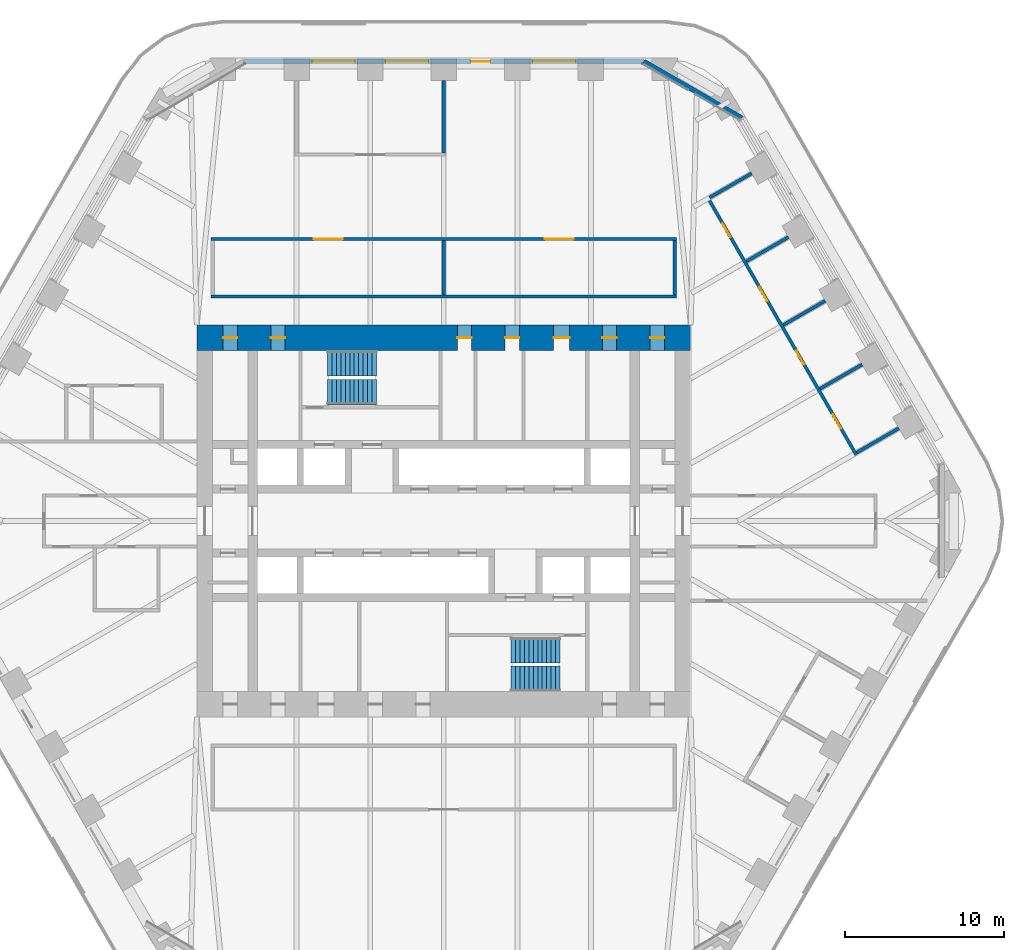
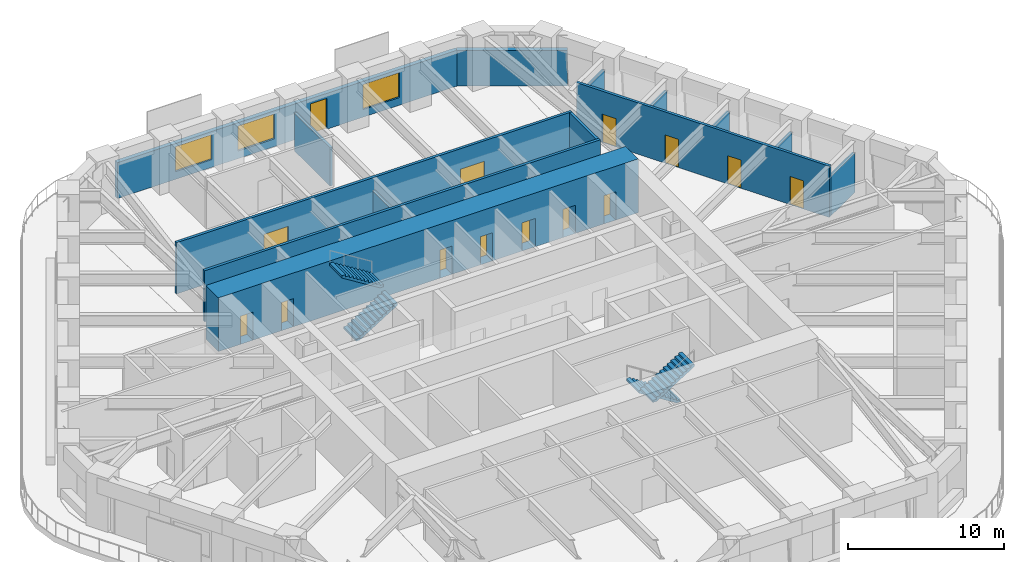
# One storey, part 17 of 20: 14 doors, 14 walls, 4 stair flights, 3 windows, 17 openings, 2 elements without a shape of their own.
"""IFC4 building model written with IfcOpenShell, lengths in metres."""

from ifc_helpers import new_model, si_unit, direction, frame, frame_2d, origin, place, context, subcontext, project, spatial, polyline, rectangle, outline, extrude, material, layer, layer_set, type_object, element, fill, aggregate, save


model = new_model("IFC4")

# Units and contexts
model_context = context("Model", 3, precision=1e-05, world=origin(), true_north=direction((0.0, 1.0)))
body_context = subcontext(model_context, "Body", "Model", "MODEL_VIEW")
ifc_project = project(units=[si_unit("LENGTHUNIT", "METRE"), si_unit("AREAUNIT", "SQUARE_METRE"), si_unit("VOLUMEUNIT", "CUBIC_METRE"), si_unit("PLANEANGLEUNIT", "RADIAN"), si_unit("MASSUNIT", "GRAM", prefix="KILO")], contexts=[model_context])

# Site, building, storey
site_placement = place(None, origin())
site = spatial("IfcSite", under=ifc_project, at=site_placement, CompositionType="ELEMENT")
building_placement = place(site_placement, origin())
building = spatial("IfcBuilding", under=site, at=building_placement, Name="Tarfa Lantern Tower", CompositionType="ELEMENT")
storey_placement = place(building_placement, frame((0.0, 0.0, 232.300048828125)))
storey = spatial("IfcBuildingStorey", under=building, at=storey_placement, Name="L52", CompositionType="ELEMENT", Elevation=232.300048828125)

# Wall
ifc_material_1 = material(Name="Limestone cladding on blockwork", Category="masonry")
ifc_layer_1 = layer(ifc_material_1, 0.300048828125)
ifc_layer_set_1 = layer_set([ifc_layer_1], Name="EW1 STONE-CLAD WALL 300")
wall_type_1 = type_object("IfcWallType", Name="EW1 STONE-CLAD WALL 300", PredefinedType="SOLIDWALL", material=ifc_layer_set_1)
wall_1_placement = place(storey_placement, frame((18.70654296875, 25.299072265625, 0.0), z_axis=(0.0, 0.0, 1.0), x_axis=(-0.866010973379, 0.500024993363, 0.0)))
element("IfcWall", 1, at=wall_1_placement, inside=storey, type_object=wall_type_1, Name="Garden wall NE-N", PredefinedType="SOLIDWALL", context=body_context, shape_type="SweptSolid", body=[
    extrude(rectangle(XDim=7.101806640625, YDim=0.300048828125, at=frame_2d((3.55078125, 0.0))), origin(), (0.0, 0.0, 1.0), 2.800048828125),
])

# Wall, openings, door, windows
wall_2_placement = place(storey_placement, frame((12.556396484375, 28.85009765625, 0.0), z_axis=(0.0, 0.0, 1.0), x_axis=(-1.0, 0.0, 0.0)))
wall_2 = element("IfcWall", 2, at=wall_2_placement, inside=storey, type_object=wall_type_1, Name="Stone wall N", PredefinedType="SOLIDWALL", context=body_context, shape_type="SweptSolid", body=[
    extrude(rectangle(XDim=25.11279296875, YDim=0.300048828125, at=frame_2d((12.556396484375, 0.0))), origin(), (0.0, 0.0, 1.0), 2.800048828125),
])
opening_1_placement = place(wall_2_placement, frame((4.2783203125, 0.0, 0.60009765625)))
opening_1 = element("IfcOpeningElement", 3, at=opening_1_placement, cuts=wall_2, Name="Opening W14", PredefinedType="OPENING", context=body_context, shape_type="SweptSolid", body=[
    extrude(rectangle(XDim=2.699951171875, YDim=1.949951171875, at=frame_2d((1.35009765625, 0.97509765625))), frame((0.0, 0.159912109375, 0.0), z_axis=(0.0, -1.0, 0.0), x_axis=(1.0, 0.0, 0.0)), (0.0, 0.0, 1.0), 0.320068359375),
])
opening_2_placement = place(wall_2_placement, frame((9.64697265625, 0.0, 0.0)))
opening_2 = element("IfcOpeningElement", 4, at=opening_2_placement, cuts=wall_2, Name="Opening D47", PredefinedType="OPENING", context=body_context, shape_type="SweptSolid", body=[
    extrude(rectangle(XDim=1.199951171875, YDim=2.39990234375, at=frame_2d((0.60009765625, 1.199951171875))), frame((0.0, 0.159912109375, 0.0), z_axis=(0.0, -1.0, 0.0), x_axis=(1.0, 0.0, 0.0)), (0.0, 0.0, 1.0), 0.320068359375),
])
opening_3_placement = place(wall_2_placement, frame((13.515869140625, 0.0, 0.60009765625)))
opening_3 = element("IfcOpeningElement", 5, at=opening_3_placement, cuts=wall_2, Name="Opening W14", PredefinedType="OPENING", context=body_context, shape_type="SweptSolid", body=[
    extrude(rectangle(XDim=2.699951171875, YDim=1.949951171875, at=frame_2d((1.35009765625, 0.97509765625))), frame((0.0, 0.159912109375, 0.0), z_axis=(0.0, -1.0, 0.0), x_axis=(1.0, 0.0, 0.0)), (0.0, 0.0, 1.0), 0.320068359375),
])
opening_4_placement = place(wall_2_placement, frame((18.134521484375, 0.0, 0.60009765625)))
opening_4 = element("IfcOpeningElement", 6, at=opening_4_placement, cuts=wall_2, Name="Opening W14", PredefinedType="OPENING", context=body_context, shape_type="SweptSolid", body=[
    extrude(rectangle(XDim=2.699951171875, YDim=1.949951171875, at=frame_2d((1.35009765625, 0.97509765625))), frame((0.0, 0.159912109375, 0.0), z_axis=(0.0, -1.0, 0.0), x_axis=(1.0, 0.0, 0.0)), (0.0, 0.0, 1.0), 0.320068359375),
])
ifc_material_2 = material(Name="Aluminium framed glazed door", Category="aluminium")
door_type_1 = type_object("IfcDoorType", Name="BE3 BALCONY DOOR 1200x2400", OperationType="SINGLE_SWING_RIGHT", PredefinedType="DOOR", material=ifc_material_2)
door_1_placement = place(opening_2_placement, origin())
door_1 = element("IfcDoor", 7, at=door_1_placement, inside=storey, type_object=door_type_1, Name="Balcony door N", OperationType="SINGLE_SWING_LEFT", OverallHeight=2.39990234375, OverallWidth=1.199951171875, PredefinedType="DOOR", context=body_context, shape_type="SweptSolid", body=[
    extrude(rectangle(XDim=1.199951171875, YDim=2.39990234375, at=frame_2d((0.60009765625, 1.199951171875))), frame((0.0, 0.02490234375, 0.0), z_axis=(0.0, -1.0, 0.0), x_axis=(1.0, 0.0, 0.0)), (0.0, 0.0, 1.0), 0.050048828125),
])
fill(opening_2, door_1)
ifc_material_3 = material(Name="Aluminium frame, double glazed", Category="aluminium")
window_type = type_object("IfcWindowType", Name="W14 FULL-HEIGHT GLAZING 2700x1950", PartitioningType="SINGLE_PANEL", PredefinedType="WINDOW", material=ifc_material_3)
window_1_placement = place(opening_1_placement, origin())
window_1 = element("IfcWindow", 8, at=window_1_placement, inside=storey, type_object=window_type, Name="Window N 2", OverallHeight=1.949951171875, OverallWidth=2.699951171875, PartitioningType="SINGLE_PANEL", PredefinedType="WINDOW", context=body_context, shape_type="SweptSolid", body=[
    extrude(rectangle(XDim=2.699951171875, YDim=1.949951171875, at=frame_2d((1.35009765625, 0.97509765625))), frame((0.0, 0.030029296875, 0.0), z_axis=(0.0, -1.0, 0.0), x_axis=(1.0, 0.0, 0.0)), (0.0, 0.0, 1.0), 0.06005859375),
])
fill(opening_1, window_1)
window_2_placement = place(opening_3_placement, origin())
window_2 = element("IfcWindow", 9, at=window_2_placement, inside=storey, type_object=window_type, Name="Window N 4", OverallHeight=1.949951171875, OverallWidth=2.699951171875, PartitioningType="SINGLE_PANEL", PredefinedType="WINDOW", context=body_context, shape_type="SweptSolid", body=[
    extrude(rectangle(XDim=2.699951171875, YDim=1.949951171875, at=frame_2d((1.35009765625, 0.97509765625))), frame((0.0, 0.030029296875, 0.0), z_axis=(0.0, -1.0, 0.0), x_axis=(1.0, 0.0, 0.0)), (0.0, 0.0, 1.0), 0.06005859375),
])
fill(opening_3, window_2)
window_3_placement = place(opening_4_placement, origin())
window_3 = element("IfcWindow", 10, at=window_3_placement, inside=storey, type_object=window_type, Name="Window N 5", OverallHeight=1.949951171875, OverallWidth=2.699951171875, PartitioningType="SINGLE_PANEL", PredefinedType="WINDOW", context=body_context, shape_type="SweptSolid", body=[
    extrude(rectangle(XDim=2.699951171875, YDim=1.949951171875, at=frame_2d((1.35009765625, 0.97509765625))), frame((0.0, 0.030029296875, 0.0), z_axis=(0.0, -1.0, 0.0), x_axis=(1.0, 0.0, 0.0)), (0.0, 0.0, 1.0), 0.06005859375),
])
fill(opening_4, window_3)

# Wall
ifc_material_4 = material(Name="Gypsum board on steel studs", Category="steel")
ifc_layer_2 = layer(ifc_material_4, 0.2099609375)
ifc_layer_set_2 = layer_set([ifc_layer_2], Name="IW2 ACOUSTIC PARTITION 200")
wall_type_2 = type_object("IfcWallType", Name="IW2 ACOUSTIC PARTITION 200", PredefinedType="PARTITIONING", material=ifc_layer_set_2)
wall_3_placement = place(storey_placement, frame((-14.60009765625, 14.10009765625, 0.0), z_axis=(0.0, 0.0, 1.0), x_axis=(1.0, 0.0, 0.0)))
element("IfcWall", 11, at=wall_3_placement, inside=storey, type_object=wall_type_2, Name="Partition", PredefinedType="PARTITIONING", context=body_context, shape_type="SweptSolid", body=[
    extrude(rectangle(XDim=29.2001953125, YDim=0.199951171875, at=frame_2d((14.60009765625, 0.0))), origin(), (0.0, 0.0, 1.0), 4.0),
])

# Wall, openings, doors
wall_4_placement = place(storey_placement, frame((-14.60009765625, 17.699951171875, 0.0), z_axis=(0.0, 0.0, 1.0), x_axis=(1.0, 0.0, 0.0)))
wall_4 = element("IfcWall", 12, at=wall_4_placement, inside=storey, type_object=wall_type_2, Name="Partition", PredefinedType="PARTITIONING", context=body_context, shape_type="SweptSolid", body=[
    extrude(rectangle(XDim=29.2001953125, YDim=0.199951171875, at=frame_2d((14.60009765625, 0.0))), origin(), (0.0, 0.0, 1.0), 4.0),
])
opening_5_placement = place(wall_4_placement, frame((6.449951171875, 0.0, 0.0)))
opening_5 = element("IfcOpeningElement", 13, at=opening_5_placement, cuts=wall_4, Name="Opening D35", PredefinedType="OPENING", context=body_context, shape_type="SweptSolid", body=[
    extrude(rectangle(XDim=1.800048828125, YDim=2.39990234375, at=frame_2d((0.89990234375, 1.199951171875))), frame((0.0, 0.10986328125, 0.0), z_axis=(0.0, -1.0, 0.0), x_axis=(1.0, 0.0, 0.0)), (0.0, 0.0, 1.0), 0.219970703125),
])
opening_6_placement = place(wall_4_placement, frame((20.949951171875, 0.0, 0.0)))
opening_6 = element("IfcOpeningElement", 14, at=opening_6_placement, cuts=wall_4, Name="Opening D36", PredefinedType="OPENING", context=body_context, shape_type="SweptSolid", body=[
    extrude(rectangle(XDim=1.800048828125, YDim=2.39990234375, at=frame_2d((0.89990234375, 1.199951171875))), frame((0.0, 0.10986328125, 0.0), z_axis=(0.0, -1.0, 0.0), x_axis=(1.0, 0.0, 0.0)), (0.0, 0.0, 1.0), 0.219970703125),
])
ifc_material_5 = material(Name="Timber door", Category="wood")
door_type_2 = type_object("IfcDoorType", Name="DR2 ROOM DOOR 1800x2400", OperationType="DOUBLE_DOOR_SINGLE_SWING", PredefinedType="DOOR", material=ifc_material_5)
door_2_placement = place(opening_5_placement, frame((1.800048828125, 0.0, 0.0), z_axis=(0.0, 0.0, 1.0), x_axis=(-1.0, 0.0, 0.0)))
door_2 = element("IfcDoor", 15, at=door_2_placement, inside=storey, type_object=door_type_2, Name="Interview room door", OperationType="DOUBLE_DOOR_SINGLE_SWING", OverallHeight=2.39990234375, OverallWidth=1.800048828125, PredefinedType="DOOR", context=body_context, shape_type="SweptSolid", body=[
    extrude(rectangle(XDim=1.800048828125, YDim=2.39990234375, at=frame_2d((0.89990234375, 1.199951171875))), frame((0.0, 0.02490234375, 0.0), z_axis=(0.0, -1.0, 0.0), x_axis=(1.0, 0.0, 0.0)), (0.0, 0.0, 1.0), 0.050048828125),
])
fill(opening_5, door_2)
door_3_placement = place(opening_6_placement, frame((1.800048828125, 0.0, 0.0), z_axis=(0.0, 0.0, 1.0), x_axis=(-1.0, 0.0, 0.0)))
door_3 = element("IfcDoor", 16, at=door_3_placement, inside=storey, type_object=door_type_2, Name="Interview room door", OperationType="DOUBLE_DOOR_SINGLE_SWING", OverallHeight=2.39990234375, OverallWidth=1.800048828125, PredefinedType="DOOR", context=body_context, shape_type="SweptSolid", body=[
    extrude(rectangle(XDim=1.800048828125, YDim=2.39990234375, at=frame_2d((0.89990234375, 1.199951171875))), frame((0.0, 0.02490234375, 0.0), z_axis=(0.0, -1.0, 0.0), x_axis=(1.0, 0.0, 0.0)), (0.0, 0.0, 1.0), 0.050048828125),
])
fill(opening_6, door_3)

# Walls
wall_5_placement = place(storey_placement, frame((0.0, 14.199951171875, 0.0), z_axis=(0.0, 0.0, 1.0), x_axis=(0.0, 1.0, 0.0)))
element("IfcWall", 17, at=wall_5_placement, inside=storey, type_object=wall_type_2, Name="Partition", PredefinedType="PARTITIONING", context=body_context, shape_type="SweptSolid", body=[
    extrude(rectangle(XDim=3.400146484375, YDim=0.199951171875, at=frame_2d((1.7001953125, 0.0))), origin(), (0.0, 0.0, 1.0), 2.991943359375),
])
wall_6_placement = place(storey_placement, frame((14.5, 14.199951171875, 0.0), z_axis=(0.0, 0.0, 1.0), x_axis=(0.0, 1.0, 0.0)))
element("IfcWall", 18, at=wall_6_placement, inside=storey, type_object=wall_type_2, Name="Partition", PredefinedType="PARTITIONING", context=body_context, shape_type="SweptSolid", body=[
    extrude(rectangle(XDim=3.400146484375, YDim=0.199951171875, at=frame_2d((1.7001953125, 0.0))), origin(), (0.0, 0.0, 1.0), 4.0),
])
wall_7_placement = place(storey_placement, frame((0.0, 23.10009765625, 0.0), z_axis=(0.0, 0.0, 1.0), x_axis=(0.0, 1.0, 0.0)))
element("IfcWall", 19, at=wall_7_placement, inside=storey, type_object=wall_type_2, Name="Partition", PredefinedType="PARTITIONING", context=body_context, shape_type="SweptSolid", body=[
    extrude(rectangle(XDim=4.5498046875, YDim=0.199951171875, at=frame_2d((2.27490234375, 0.0))), origin(), (0.0, 0.0, 1.0), 2.991943359375),
])

# Wall, openings, doors
wall_8_placement = place(storey_placement, frame((25.886474609375, 4.163330078125, 0.0), z_axis=(0.0, 0.0, 1.0), x_axis=(-0.499998569178, 0.866026229868, 0.0)))
wall_8 = element("IfcWall", 20, at=wall_8_placement, inside=storey, type_object=wall_type_2, Name="Partition", PredefinedType="PARTITIONING", context=body_context, shape_type="SweptSolid", body=[
    extrude(rectangle(XDim=18.67529296875, YDim=0.199951171875, at=frame_2d((9.337646484375, 0.0))), origin(), (0.0, 0.0, 1.0), 4.0),
])
opening_7_placement = place(wall_8_placement, frame((1.909423828125, 0.0, 0.0)))
opening_7 = element("IfcOpeningElement", 21, at=opening_7_placement, cuts=wall_8, Name="Opening D28", PredefinedType="OPENING", context=body_context, shape_type="SweptSolid", body=[
    extrude(rectangle(XDim=1.0, YDim=2.199951171875, at=frame_2d((0.5, 1.10009765625))), frame((0.0, 0.10986328125, 0.0), z_axis=(0.0, -1.0, 0.0), x_axis=(1.0, 0.0, 0.0)), (0.0, 0.0, 1.0), 0.219970703125),
])
opening_8_placement = place(wall_8_placement, frame((6.5283203125, 0.0, 0.0)))
opening_8 = element("IfcOpeningElement", 22, at=opening_8_placement, cuts=wall_8, Name="Opening D29", PredefinedType="OPENING", context=body_context, shape_type="SweptSolid", body=[
    extrude(rectangle(XDim=1.0, YDim=2.199951171875, at=frame_2d((0.5, 1.10009765625))), frame((0.0, 0.10986328125, 0.0), z_axis=(0.0, -1.0, 0.0), x_axis=(1.0, 0.0, 0.0)), (0.0, 0.0, 1.0), 0.219970703125),
])
opening_9_placement = place(wall_8_placement, frame((11.14697265625, 0.0, 0.0)))
opening_9 = element("IfcOpeningElement", 23, at=opening_9_placement, cuts=wall_8, Name="Opening D30", PredefinedType="OPENING", context=body_context, shape_type="SweptSolid", body=[
    extrude(rectangle(XDim=1.0, YDim=2.199951171875, at=frame_2d((0.5, 1.10009765625))), frame((0.0, 0.10986328125, 0.0), z_axis=(0.0, -1.0, 0.0), x_axis=(1.0, 0.0, 0.0)), (0.0, 0.0, 1.0), 0.219970703125),
])
opening_10_placement = place(wall_8_placement, frame((15.765869140625, 0.0, 0.0)))
opening_10 = element("IfcOpeningElement", 24, at=opening_10_placement, cuts=wall_8, Name="Opening D31", PredefinedType="OPENING", context=body_context, shape_type="SweptSolid", body=[
    extrude(rectangle(XDim=1.0, YDim=2.199951171875, at=frame_2d((0.5, 1.10009765625))), frame((0.0, 0.10986328125, 0.0), z_axis=(0.0, -1.0, 0.0), x_axis=(1.0, 0.0, 0.0)), (0.0, 0.0, 1.0), 0.219970703125),
])
door_type_3 = type_object("IfcDoorType", Name="DR1 ROOM DOOR 1000x2200", OperationType="SINGLE_SWING_LEFT", PredefinedType="DOOR", material=ifc_material_5)
door_4_placement = place(opening_7_placement, frame((1.0, 0.0, 0.0), z_axis=(0.0, 0.0, 1.0), x_axis=(-1.0, 0.0, 0.0)))
door_4 = element("IfcDoor", 25, at=door_4_placement, inside=storey, type_object=door_type_3, Name="Office door", OperationType="SINGLE_SWING_LEFT", OverallHeight=2.199951171875, OverallWidth=1.0, PredefinedType="DOOR", context=body_context, shape_type="SweptSolid", body=[
    extrude(rectangle(XDim=1.0, YDim=2.199951171875, at=frame_2d((0.5, 1.10009765625))), frame((0.0, 0.02490234375, 0.0), z_axis=(0.0, -1.0, 0.0), x_axis=(1.0, 0.0, 0.0)), (0.0, 0.0, 1.0), 0.050048828125),
])
fill(opening_7, door_4)
door_5_placement = place(opening_8_placement, frame((1.0, 0.0, 0.0), z_axis=(0.0, 0.0, 1.0), x_axis=(-1.0, 0.0, 0.0)))
door_5 = element("IfcDoor", 26, at=door_5_placement, inside=storey, type_object=door_type_3, Name="Office door", OperationType="SINGLE_SWING_LEFT", OverallHeight=2.199951171875, OverallWidth=1.0, PredefinedType="DOOR", context=body_context, shape_type="SweptSolid", body=[
    extrude(rectangle(XDim=1.0, YDim=2.199951171875, at=frame_2d((0.5, 1.10009765625))), frame((0.0, 0.02490234375, 0.0), z_axis=(0.0, -1.0, 0.0), x_axis=(1.0, 0.0, 0.0)), (0.0, 0.0, 1.0), 0.050048828125),
])
fill(opening_8, door_5)
door_6_placement = place(opening_9_placement, frame((1.0, 0.0, 0.0), z_axis=(0.0, 0.0, 1.0), x_axis=(-1.0, 0.0, 0.0)))
door_6 = element("IfcDoor", 27, at=door_6_placement, inside=storey, type_object=door_type_3, Name="Office door", OperationType="SINGLE_SWING_RIGHT", OverallHeight=2.199951171875, OverallWidth=1.0, PredefinedType="DOOR", context=body_context, shape_type="SweptSolid", body=[
    extrude(rectangle(XDim=1.0, YDim=2.199951171875, at=frame_2d((0.5, 1.10009765625))), frame((0.0, 0.02490234375, 0.0), z_axis=(0.0, -1.0, 0.0), x_axis=(1.0, 0.0, 0.0)), (0.0, 0.0, 1.0), 0.050048828125),
])
fill(opening_9, door_6)
door_7_placement = place(opening_10_placement, frame((1.0, 0.0, 0.0), z_axis=(0.0, 0.0, 1.0), x_axis=(-1.0, 0.0, 0.0)))
door_7 = element("IfcDoor", 28, at=door_7_placement, inside=storey, type_object=door_type_3, Name="Office door", OperationType="SINGLE_SWING_RIGHT", OverallHeight=2.199951171875, OverallWidth=1.0, PredefinedType="DOOR", context=body_context, shape_type="SweptSolid", body=[
    extrude(rectangle(XDim=1.0, YDim=2.199951171875, at=frame_2d((0.5, 1.10009765625))), frame((0.0, 0.02490234375, 0.0), z_axis=(0.0, -1.0, 0.0), x_axis=(1.0, 0.0, 0.0)), (0.0, 0.0, 1.0), 0.050048828125),
])
fill(opening_10, door_7)

# Walls
for number, where, z_axis, x_axis, name in (
    (29, (25.923095703125, 4.300048828125, 0.0), (0.0, 0.0, 1.0), (0.866037623948, 0.499978833458, 0.0), "Partition"),
    (30, (23.613525390625, 8.300048828125, 0.0), (0.0, 0.0, 1.0), (0.866037623948, 0.499978833458, 0.0), "Partition"),
    (31, (21.30419921875, 12.300048828125, 0.0), (0.0, 0.0, 1.0), (0.866037623948, 0.499978833458, 0.0), "Partition"),
    (32, (18.994873046875, 16.300048828125, 0.0), (0.0, 0.0, 1.0), (0.866037623948, 0.499978833458, 0.0), "Partition"),
    (33, (16.685302734375, 20.300048828125, 0.0), (0.0, 0.0, 1.0), (0.866057632134, 0.499944174705, 0.0), "Partition"),
):
    element("IfcWall", number, at=place(storey_placement, frame(where, z_axis=z_axis, x_axis=x_axis)), inside=storey, type_object=wall_type_2, Name=name, PredefinedType="PARTITIONING", context=body_context, shape_type="SweptSolid", body=[
        extrude(rectangle(XDim=3.050048828125, YDim=0.199951171875, at=frame_2d((1.52490234375, 0.0))), origin(), (0.0, 0.0, 1.0), 3.08154296875),
    ])

# Wall, openings, doors
ifc_material_6 = material(Name="Concrete C80/95", Category="concrete")
ifc_layer_3 = layer(ifc_material_6, 1.60009765625)
ifc_layer_set_3 = layer_set([ifc_layer_3], Name="SW7 CORE WALL 1600")
wall_type_3 = type_object("IfcWallType", Name="SW7 CORE WALL 1600", PredefinedType="SHEAR", material=ifc_layer_set_3)
wall_9_placement = place(storey_placement, frame((-15.5, 11.5, 0.0), z_axis=(0.0, 0.0, 1.0), x_axis=(1.0, 0.0, 0.0)))
wall_9 = element("IfcWall", 34, at=wall_9_placement, inside=storey, type_object=wall_type_3, Name="Core wall N", PredefinedType="SHEAR", context=body_context, shape_type="SweptSolid", body=[
    extrude(rectangle(XDim=31.0, YDim=1.60009765625, at=frame_2d((15.5, 0.0))), origin(), (0.0, 0.0, 1.0), 4.199951171875),
])
opening_11_placement = place(wall_9_placement, frame((16.35009765625, 0.0, 0.0)))
opening_11 = element("IfcOpeningElement", 35, at=opening_11_placement, cuts=wall_9, Name="Opening D17", PredefinedType="OPENING", context=body_context, shape_type="SweptSolid", body=[
    extrude(rectangle(XDim=0.89990234375, YDim=2.199951171875, at=frame_2d((0.449951171875, 1.10009765625))), frame((0.0, 0.81005859375, 0.0), z_axis=(0.0, -1.0, 0.0), x_axis=(1.0, 0.0, 0.0)), (0.0, 0.0, 1.0), 1.6201171875),
])
opening_12_placement = place(wall_9_placement, frame((19.35009765625, 0.0, 0.0)))
opening_12 = element("IfcOpeningElement", 36, at=opening_12_placement, cuts=wall_9, Name="Opening D19", PredefinedType="OPENING", context=body_context, shape_type="SweptSolid", body=[
    extrude(rectangle(XDim=0.89990234375, YDim=2.199951171875, at=frame_2d((0.449951171875, 1.10009765625))), frame((0.0, 0.81005859375, 0.0), z_axis=(0.0, -1.0, 0.0), x_axis=(1.0, 0.0, 0.0)), (0.0, 0.0, 1.0), 1.6201171875),
])
opening_13_placement = place(wall_9_placement, frame((22.39990234375, 0.0, 0.0)))
opening_13 = element("IfcOpeningElement", 37, at=opening_13_placement, cuts=wall_9, Name="Opening D21", PredefinedType="OPENING", context=body_context, shape_type="SweptSolid", body=[
    extrude(rectangle(XDim=1.0, YDim=2.199951171875, at=frame_2d((0.5, 1.10009765625))), frame((0.0, 0.81005859375, 0.0), z_axis=(0.0, -1.0, 0.0), x_axis=(1.0, 0.0, 0.0)), (0.0, 0.0, 1.0), 1.6201171875),
])
opening_14_placement = place(wall_9_placement, frame((1.64990234375, 0.0, 0.0)))
opening_14 = element("IfcOpeningElement", 38, at=opening_14_placement, cuts=wall_9, Name="Opening D07", PredefinedType="OPENING", context=body_context, shape_type="SweptSolid", body=[
    extrude(rectangle(XDim=0.89990234375, YDim=2.199951171875, at=frame_2d((0.449951171875, 1.10009765625))), frame((0.0, 0.81005859375, 0.0), z_axis=(0.0, -1.0, 0.0), x_axis=(1.0, 0.0, 0.0)), (0.0, 0.0, 1.0), 1.6201171875),
])
opening_15_placement = place(wall_9_placement, frame((4.64990234375, 0.0, 0.0)))
opening_15 = element("IfcOpeningElement", 39, at=opening_15_placement, cuts=wall_9, Name="Opening D05", PredefinedType="OPENING", context=body_context, shape_type="SweptSolid", body=[
    extrude(rectangle(XDim=0.89990234375, YDim=2.199951171875, at=frame_2d((0.449951171875, 1.10009765625))), frame((0.0, 0.81005859375, 0.0), z_axis=(0.0, -1.0, 0.0), x_axis=(1.0, 0.0, 0.0)), (0.0, 0.0, 1.0), 1.6201171875),
])
opening_16_placement = place(wall_9_placement, frame((25.449951171875, 0.0, 0.0)))
opening_16 = element("IfcOpeningElement", 40, at=opening_16_placement, cuts=wall_9, Name="Opening D03", PredefinedType="OPENING", context=body_context, shape_type="SweptSolid", body=[
    extrude(rectangle(XDim=0.89990234375, YDim=2.199951171875, at=frame_2d((0.449951171875, 1.10009765625))), frame((0.0, 0.81005859375, 0.0), z_axis=(0.0, -1.0, 0.0), x_axis=(1.0, 0.0, 0.0)), (0.0, 0.0, 1.0), 1.6201171875),
])
opening_17_placement = place(wall_9_placement, frame((28.449951171875, 0.0, 0.0)))
opening_17 = element("IfcOpeningElement", 41, at=opening_17_placement, cuts=wall_9, Name="Opening D01", PredefinedType="OPENING", context=body_context, shape_type="SweptSolid", body=[
    extrude(rectangle(XDim=0.89990234375, YDim=2.199951171875, at=frame_2d((0.449951171875, 1.10009765625))), frame((0.0, 0.81005859375, 0.0), z_axis=(0.0, -1.0, 0.0), x_axis=(1.0, 0.0, 0.0)), (0.0, 0.0, 1.0), 1.6201171875),
])
ifc_material_7 = material(Name="Steel fire door", Category="steel")
door_type_4 = type_object("IfcDoorType", Name="DF3 CORE ROOM DOOR 900x2200", OperationType="SINGLE_SWING_LEFT", PredefinedType="DOOR", material=ifc_material_7)
door_8_placement = place(opening_11_placement, frame((0.89990234375, 0.0, 0.0), z_axis=(0.0, 0.0, 1.0), x_axis=(-1.0, 0.0, 0.0)))
door_8 = element("IfcDoor", 42, at=door_8_placement, inside=storey, type_object=door_type_4, Name="Core door", OperationType="SINGLE_SWING_RIGHT", OverallHeight=2.199951171875, OverallWidth=0.89990234375, PredefinedType="DOOR", context=body_context, shape_type="SweptSolid", body=[
    extrude(rectangle(XDim=0.89990234375, YDim=2.199951171875, at=frame_2d((0.449951171875, 1.10009765625))), frame((0.0, 0.02490234375, 0.0), z_axis=(0.0, -1.0, 0.0), x_axis=(1.0, 0.0, 0.0)), (0.0, 0.0, 1.0), 0.050048828125),
])
fill(opening_11, door_8)
door_9_placement = place(opening_12_placement, frame((0.89990234375, 0.0, 0.0), z_axis=(0.0, 0.0, 1.0), x_axis=(-1.0, 0.0, 0.0)))
door_9 = element("IfcDoor", 43, at=door_9_placement, inside=storey, type_object=door_type_4, Name="Core door", OperationType="SINGLE_SWING_RIGHT", OverallHeight=2.199951171875, OverallWidth=0.89990234375, PredefinedType="DOOR", context=body_context, shape_type="SweptSolid", body=[
    extrude(rectangle(XDim=0.89990234375, YDim=2.199951171875, at=frame_2d((0.449951171875, 1.10009765625))), frame((0.0, 0.02490234375, 0.0), z_axis=(0.0, -1.0, 0.0), x_axis=(1.0, 0.0, 0.0)), (0.0, 0.0, 1.0), 0.050048828125),
])
fill(opening_12, door_9)
door_type_5 = type_object("IfcDoorType", Name="DF4 CORE ROOM DOOR 1000x2200", OperationType="SINGLE_SWING_LEFT", PredefinedType="DOOR", material=ifc_material_7)
door_10_placement = place(opening_13_placement, frame((1.0, 0.0, 0.0), z_axis=(0.0, 0.0, 1.0), x_axis=(-1.0, 0.0, 0.0)))
door_10 = element("IfcDoor", 44, at=door_10_placement, inside=storey, type_object=door_type_5, Name="Core door", OperationType="SINGLE_SWING_RIGHT", OverallHeight=2.199951171875, OverallWidth=1.0, PredefinedType="DOOR", context=body_context, shape_type="SweptSolid", body=[
    extrude(rectangle(XDim=1.0, YDim=2.199951171875, at=frame_2d((0.5, 1.10009765625))), frame((0.0, 0.02490234375, 0.0), z_axis=(0.0, -1.0, 0.0), x_axis=(1.0, 0.0, 0.0)), (0.0, 0.0, 1.0), 0.050048828125),
])
fill(opening_13, door_10)
door_type_6 = type_object("IfcDoorType", Name="DF5 RISER DOOR 900x2200", OperationType="SINGLE_SWING_LEFT", PredefinedType="DOOR", material=ifc_material_7)
door_11_placement = place(opening_14_placement, frame((0.89990234375, 0.0, 0.0), z_axis=(0.0, 0.0, 1.0), x_axis=(-1.0, 0.0, 0.0)))
door_11 = element("IfcDoor", 45, at=door_11_placement, inside=storey, type_object=door_type_6, Name="Riser door", OperationType="SINGLE_SWING_LEFT", OverallHeight=2.199951171875, OverallWidth=0.89990234375, PredefinedType="DOOR", context=body_context, shape_type="SweptSolid", body=[
    extrude(rectangle(XDim=0.89990234375, YDim=2.199951171875, at=frame_2d((0.449951171875, 1.10009765625))), frame((0.0, 0.02490234375, 0.0), z_axis=(0.0, -1.0, 0.0), x_axis=(1.0, 0.0, 0.0)), (0.0, 0.0, 1.0), 0.050048828125),
])
fill(opening_14, door_11)
door_12_placement = place(opening_15_placement, frame((0.89990234375, 0.0, 0.0), z_axis=(0.0, 0.0, 1.0), x_axis=(-1.0, 0.0, 0.0)))
door_12 = element("IfcDoor", 46, at=door_12_placement, inside=storey, type_object=door_type_6, Name="Riser door", OperationType="SINGLE_SWING_LEFT", OverallHeight=2.199951171875, OverallWidth=0.89990234375, PredefinedType="DOOR", context=body_context, shape_type="SweptSolid", body=[
    extrude(rectangle(XDim=0.89990234375, YDim=2.199951171875, at=frame_2d((0.449951171875, 1.10009765625))), frame((0.0, 0.02490234375, 0.0), z_axis=(0.0, -1.0, 0.0), x_axis=(1.0, 0.0, 0.0)), (0.0, 0.0, 1.0), 0.050048828125),
])
fill(opening_15, door_12)
door_13_placement = place(opening_16_placement, frame((0.89990234375, 0.0, 0.0), z_axis=(0.0, 0.0, 1.0), x_axis=(-1.0, 0.0, 0.0)))
door_13 = element("IfcDoor", 47, at=door_13_placement, inside=storey, type_object=door_type_6, Name="Riser door", OperationType="SINGLE_SWING_RIGHT", OverallHeight=2.199951171875, OverallWidth=0.89990234375, PredefinedType="DOOR", context=body_context, shape_type="SweptSolid", body=[
    extrude(rectangle(XDim=0.89990234375, YDim=2.199951171875, at=frame_2d((0.449951171875, 1.10009765625))), frame((0.0, 0.02490234375, 0.0), z_axis=(0.0, -1.0, 0.0), x_axis=(1.0, 0.0, 0.0)), (0.0, 0.0, 1.0), 0.050048828125),
])
fill(opening_16, door_13)
door_14_placement = place(opening_17_placement, frame((0.89990234375, 0.0, 0.0), z_axis=(0.0, 0.0, 1.0), x_axis=(-1.0, 0.0, 0.0)))
door_14 = element("IfcDoor", 48, at=door_14_placement, inside=storey, type_object=door_type_6, Name="Riser door", OperationType="SINGLE_SWING_RIGHT", OverallHeight=2.199951171875, OverallWidth=0.89990234375, PredefinedType="DOOR", context=body_context, shape_type="SweptSolid", body=[
    extrude(rectangle(XDim=0.89990234375, YDim=2.199951171875, at=frame_2d((0.449951171875, 1.10009765625))), frame((0.0, 0.02490234375, 0.0), z_axis=(0.0, -1.0, 0.0), x_axis=(1.0, 0.0, 0.0)), (0.0, 0.0, 1.0), 0.050048828125),
])
fill(opening_17, door_14)

# Stair, stair flights
ifc_material_8 = material(Name="Concrete C40/50", Category="concrete")
stair_type = type_object("IfcStairType", Name="ST-T10 HALF-TURN STAIR 4200 RISE", PredefinedType="HALF_TURN_STAIR", material=ifc_material_8)
stair_1_placement = place(storey_placement, origin())
stair_1 = element("IfcStair", 49, at=stair_1_placement, inside=storey, type_object=stair_type, Name="Stair ST1", PredefinedType="HALF_TURN_STAIR")
stair_flight_type = type_object("IfcStairFlightType", Name="SF1 STAIR FLIGHT", PredefinedType="STRAIGHT", material=ifc_material_8)
stair_flight_1_placement = place(storey_placement, frame((-7.300048828125, 8.10009765625, 0.0), z_axis=(0.0, 0.0, 1.0), x_axis=(1.0, 0.0, 0.0)))
stair_flight_1 = element("IfcStairFlight", 50, at=stair_flight_1_placement, type_object=stair_flight_type, Name="ST1 flight 1", NumberOfRisers=12, NumberOfTreads=11, PredefinedType="STRAIGHT", RiserHeight=0.175, TreadLength=0.28, context=body_context, shape_type="SweptSolid", body=[
    extrude(outline(polyline([(0.0, 0.0), (0.0, 0.175048828125), (0.280029296875, 0.175048828125), (0.280029296875, 0.35009765625), (0.56005859375, 0.35009765625), (0.56005859375, 0.52490234375), (0.840087890625, 0.52490234375), (0.840087890625, 0.699951171875), (1.1201171875, 0.699951171875), (1.1201171875, 0.875), (1.39990234375, 0.875), (1.39990234375, 1.050048828125), (1.679931640625, 1.050048828125), (1.679931640625, 1.22509765625), (1.9599609375, 1.22509765625), (1.9599609375, 1.39990234375), (2.239990234375, 1.39990234375), (2.239990234375, 1.574951171875), (2.52001953125, 1.574951171875), (2.52001953125, 1.75), (2.800048828125, 1.75), (2.800048828125, 1.925048828125), (3.080078125, 1.925048828125), (3.080078125, 2.10009765625), (3.080078125, 1.748291015625), (0.28271484375, 0.0), (0.0, 0.0)])), frame((0.0, 0.800048828125, 0.0), z_axis=(0.0, -1.0, 0.0), x_axis=(1.0, 0.0, 0.0)), (0.0, 0.0, 1.0), 1.60009765625),
])
stair_flight_2_placement = place(storey_placement, frame((-4.219970703125, 9.89990234375, 2.099853515625), z_axis=(0.0, 0.0, 1.0), x_axis=(-1.0, 0.0, 0.0)))
stair_flight_2 = element("IfcStairFlight", 51, at=stair_flight_2_placement, type_object=stair_flight_type, Name="ST1 flight 2", NumberOfRisers=12, NumberOfTreads=11, PredefinedType="STRAIGHT", RiserHeight=0.175, TreadLength=0.28, context=body_context, shape_type="SweptSolid", body=[
    extrude(outline(polyline([(0.0, 0.0), (0.0, 0.175048828125), (0.280029296875, 0.175048828125), (0.280029296875, 0.35009765625), (0.56005859375, 0.35009765625), (0.56005859375, 0.52490234375), (0.840087890625, 0.52490234375), (0.840087890625, 0.699951171875), (1.1201171875, 0.699951171875), (1.1201171875, 0.875), (1.39990234375, 0.875), (1.39990234375, 1.050048828125), (1.679931640625, 1.050048828125), (1.679931640625, 1.22509765625), (1.9599609375, 1.22509765625), (1.9599609375, 1.39990234375), (2.239990234375, 1.39990234375), (2.239990234375, 1.574951171875), (2.52001953125, 1.574951171875), (2.52001953125, 1.75), (2.800048828125, 1.75), (2.800048828125, 1.925048828125), (3.080078125, 1.925048828125), (3.080078125, 2.10009765625), (3.080078125, 1.748291015625), (0.28271484375, 0.0), (0.0, 0.0)])), frame((0.0, 0.800048828125, 0.0), z_axis=(0.0, -1.0, 0.0), x_axis=(1.0, 0.0, 0.0)), (0.0, 0.0, 1.0), 1.60009765625),
])
aggregate(stair_1, [stair_flight_1, stair_flight_2])

stair_2_placement = place(storey_placement, origin())
stair_2 = element("IfcStair", 52, at=stair_2_placement, inside=storey, type_object=stair_type, Name="Stair ST2", PredefinedType="HALF_TURN_STAIR")
stair_flight_3_placement = place(storey_placement, frame((7.300048828125, -8.10009765625, 0.0), z_axis=(0.0, 0.0, 1.0), x_axis=(-1.0, 0.0, 0.0)))
stair_flight_3 = element("IfcStairFlight", 53, at=stair_flight_3_placement, type_object=stair_flight_type, Name="ST2 flight 1", NumberOfRisers=12, NumberOfTreads=11, PredefinedType="STRAIGHT", RiserHeight=0.175, TreadLength=0.28, context=body_context, shape_type="SweptSolid", body=[
    extrude(outline(polyline([(0.0, 0.0), (0.0, 0.175048828125), (0.280029296875, 0.175048828125), (0.280029296875, 0.35009765625), (0.56005859375, 0.35009765625), (0.56005859375, 0.52490234375), (0.840087890625, 0.52490234375), (0.840087890625, 0.699951171875), (1.1201171875, 0.699951171875), (1.1201171875, 0.875), (1.39990234375, 0.875), (1.39990234375, 1.050048828125), (1.679931640625, 1.050048828125), (1.679931640625, 1.22509765625), (1.9599609375, 1.22509765625), (1.9599609375, 1.39990234375), (2.239990234375, 1.39990234375), (2.239990234375, 1.574951171875), (2.52001953125, 1.574951171875), (2.52001953125, 1.75), (2.800048828125, 1.75), (2.800048828125, 1.925048828125), (3.080078125, 1.925048828125), (3.080078125, 2.10009765625), (3.080078125, 1.748291015625), (0.28271484375, 0.0), (0.0, 0.0)])), frame((0.0, 0.800048828125, 0.0), z_axis=(0.0, -1.0, 0.0), x_axis=(1.0, 0.0, 0.0)), (0.0, 0.0, 1.0), 1.60009765625),
])
stair_flight_4_placement = place(storey_placement, frame((4.219970703125, -9.89990234375, 2.099853515625), z_axis=(0.0, 0.0, 1.0), x_axis=(1.0, 0.0, 0.0)))
stair_flight_4 = element("IfcStairFlight", 54, at=stair_flight_4_placement, type_object=stair_flight_type, Name="ST2 flight 2", NumberOfRisers=12, NumberOfTreads=11, PredefinedType="STRAIGHT", RiserHeight=0.175, TreadLength=0.28, context=body_context, shape_type="SweptSolid", body=[
    extrude(outline(polyline([(0.0, 0.0), (0.0, 0.175048828125), (0.280029296875, 0.175048828125), (0.280029296875, 0.35009765625), (0.56005859375, 0.35009765625), (0.56005859375, 0.52490234375), (0.840087890625, 0.52490234375), (0.840087890625, 0.699951171875), (1.1201171875, 0.699951171875), (1.1201171875, 0.875), (1.39990234375, 0.875), (1.39990234375, 1.050048828125), (1.679931640625, 1.050048828125), (1.679931640625, 1.22509765625), (1.9599609375, 1.22509765625), (1.9599609375, 1.39990234375), (2.239990234375, 1.39990234375), (2.239990234375, 1.574951171875), (2.52001953125, 1.574951171875), (2.52001953125, 1.75), (2.800048828125, 1.75), (2.800048828125, 1.925048828125), (3.080078125, 1.925048828125), (3.080078125, 2.10009765625), (3.080078125, 1.748291015625), (0.28271484375, 0.0), (0.0, 0.0)])), frame((0.0, 0.800048828125, 0.0), z_axis=(0.0, -1.0, 0.0), x_axis=(1.0, 0.0, 0.0)), (0.0, 0.0, 1.0), 1.60009765625),
])
aggregate(stair_2, [stair_flight_3, stair_flight_4])

save(model, "model.ifc")
